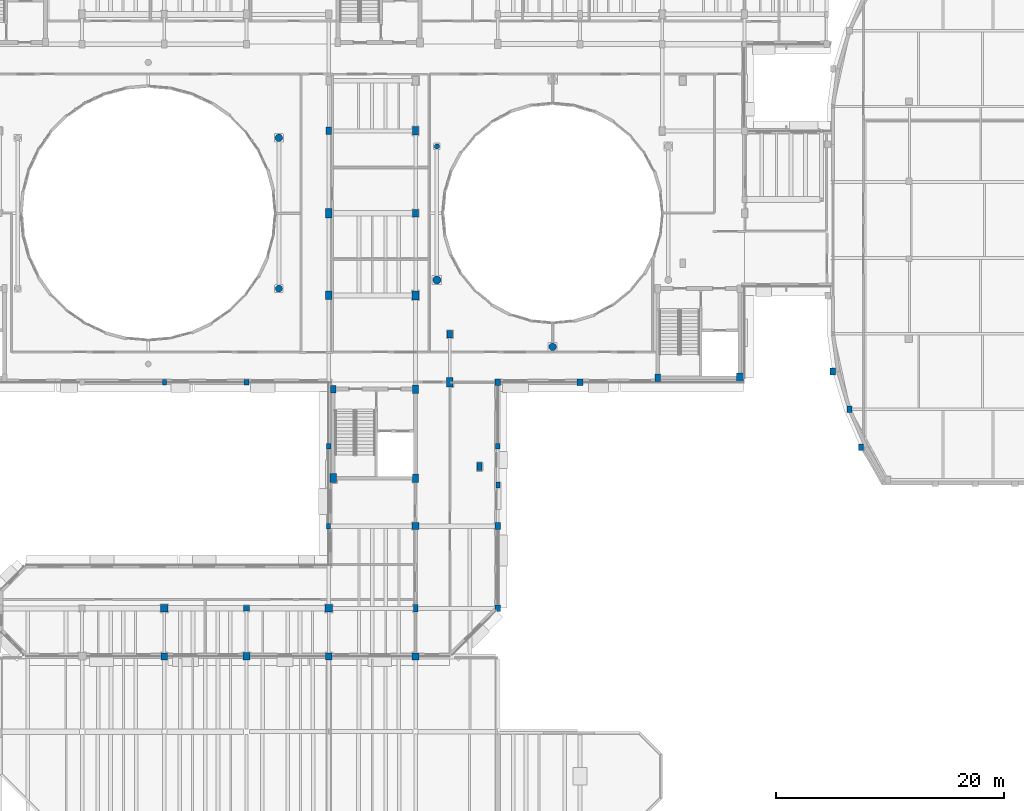
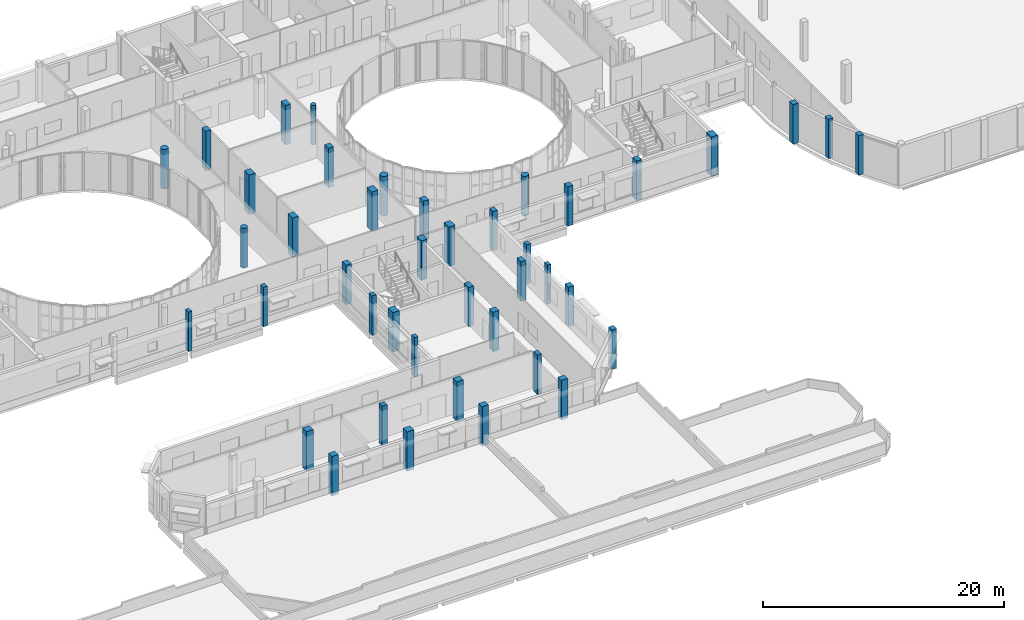
# One storey, part 7 of 105: 42 columns.
"""IFC4 building model written with IfcOpenShell, lengths in metres."""

from ifc_helpers import new_model, si_unit, direction, frame, origin, origin_2d, place, context, subcontext, project, spatial, rectangle, circle, extrude, material, material_profile, profile_set, type_object, element, save


model = new_model("IFC4")

# Units and contexts
model_context = context("Model", 3, precision=1e-05, world=origin(), true_north=direction((0.0, 1.0)))
body_context = subcontext(model_context, "Body", "Model", "MODEL_VIEW")
ifc_project = project(units=[si_unit("LENGTHUNIT", "METRE"), si_unit("AREAUNIT", "SQUARE_METRE"), si_unit("VOLUMEUNIT", "CUBIC_METRE"), si_unit("PLANEANGLEUNIT", "RADIAN"), si_unit("MASSUNIT", "GRAM", prefix="KILO")], contexts=[model_context])

# Site, building, storey
site_placement = place(None, origin())
site = spatial("IfcSite", under=ifc_project, at=site_placement, CompositionType="ELEMENT")
building_placement = place(site_placement, origin())
building = spatial("IfcBuilding", under=site, at=building_placement, Name="Kelanivale Promenade Academy", CompositionType="ELEMENT")
storey_placement = place(building_placement, frame((0.0, 0.0, 4.199951171875)))
storey = spatial("IfcBuildingStorey", under=building, at=storey_placement, Name="L01", CompositionType="ELEMENT", Elevation=4.199951171875)

# Columns
ifc_material = material(Name="Concrete C40/50", Category="concrete")
ifc_material_profile_1 = material_profile(ifc_material, rectangle(XDim=0.5, YDim=0.5, at=origin_2d()), Name="RC-COL 500x500")
ifc_profile_set_1 = profile_set([ifc_material_profile_1], Name="Concrete C40/50")
column_type_1 = type_object("IfcColumnType", Name="C-03 RC-COL 500x500", PredefinedType="COLUMN", material=ifc_profile_set_1)
column_1_placement = place(storey_placement, frame((72.0, 22.199951171875, 0.0), z_axis=(0.0, 0.0, 1.0), x_axis=(1.0, 0.0, 0.0)))
element("IfcColumn", 1, at=column_1_placement, inside=storey, type_object=column_type_1, Name="Column C-03 at (72.0, 22.2) L01", PredefinedType="COLUMN", context=body_context, shape_type="SweptSolid", body=[
    extrude(rectangle(XDim=0.5, YDim=0.5, at=origin_2d()), origin(), (0.0, 0.0, 1.0), 4.0),
])
ifc_material_profile_2 = material_profile(ifc_material, rectangle(XDim=0.60009765625, YDim=0.60009765625, at=origin_2d()), Name="RC-COL 600x600")
ifc_profile_set_2 = profile_set([ifc_material_profile_2], Name="Concrete C40/50")
column_type_2 = type_object("IfcColumnType", Name="C-05 RC-COL 600x600", PredefinedType="COLUMN", material=ifc_profile_set_2)
for number, where, z_axis, x_axis, name in (
    (2, (64.800048828125, 18.0, 0.0), (0.0, 0.0, 1.0), (1.0, 0.0, 0.0), "Column C-05 at (64.8, 18.0) L01"),
    (3, (79.199951171875, 18.0, 0.0), (0.0, 0.0, 1.0), (1.0, 0.0, 0.0), "Column C-05 at (79.2, 18.0) L01"),
    (4, (86.800048828125, 18.0, 0.0), (0.0, 0.0, 1.0), (1.0, 0.0, 0.0), "Column C-05 at (86.8, 18.0) L01"),
    (5, (86.800048828125, 29.39990234375, 0.0), (0.0, 0.0, 1.0), (1.0, 0.0, 0.0), "Column C-05 at (86.8, 29.4) L01"),
):
    element("IfcColumn", number, at=place(storey_placement, frame(where, z_axis=z_axis, x_axis=x_axis)), inside=storey, type_object=column_type_2, Name=name, PredefinedType="COLUMN", context=body_context, shape_type="SweptSolid", body=[
        extrude(rectangle(XDim=0.60009765625, YDim=0.60009765625, at=origin_2d()), origin(), (0.0, 0.0, 1.0), 4.0),
    ])
ifc_material_profile_3 = material_profile(ifc_material, rectangle(XDim=0.64990234375, YDim=0.64990234375, at=origin_2d()), Name="RC-COL 650x650")
ifc_profile_set_3 = profile_set([ifc_material_profile_3], Name="Concrete C40/50")
column_type_3 = type_object("IfcColumnType", Name="C-06 RC-COL 650x650", PredefinedType="COLUMN", material=ifc_profile_set_3)
for number, where, z_axis, x_axis, name in (
    (6, (64.800048828125, 22.199951171875, 0.0), (0.0, 0.0, 1.0), (1.0, 0.0, 0.0), "Column C-06 at (64.8, 22.2) L01"),
    (7, (72.0, 18.0, 0.0), (0.0, 0.0, 1.0), (1.0, 0.0, 0.0), "Column C-06 at (72.0, 18.0) L01"),
    (8, (79.199951171875, 22.199951171875, 0.0), (0.0, 0.0, 1.0), (1.0, 0.0, 0.0), "Column C-06 at (79.2, 22.2) L01"),
):
    element("IfcColumn", number, at=place(storey_placement, frame(where, z_axis=z_axis, x_axis=x_axis)), inside=storey, type_object=column_type_3, Name=name, PredefinedType="COLUMN", context=body_context, shape_type="SweptSolid", body=[
        extrude(rectangle(XDim=0.64990234375, YDim=0.64990234375, at=origin_2d()), origin(), (0.0, 0.0, 1.0), 4.0),
    ])
ifc_material_profile_4 = material_profile(ifc_material, rectangle(XDim=0.39990234375, YDim=0.64990234375, at=origin_2d()), Name="RC-COL 400x650")
ifc_profile_set_4 = profile_set([ifc_material_profile_4], Name="Concrete C40/50")
column_type_4 = type_object("IfcColumnType", Name="C-08 RC-COL 400x650", PredefinedType="COLUMN", material=ifc_profile_set_4)
column_2_placement = place(storey_placement, frame((86.800048828125, 22.199951171875, 0.0), z_axis=(0.0, 0.0, 1.0), x_axis=(1.0, 0.0, 0.0)))
element("IfcColumn", 9, at=column_2_placement, inside=storey, type_object=column_type_4, Name="Column C-08 at (86.8, 22.2) L01", PredefinedType="COLUMN", context=body_context, shape_type="SweptSolid", body=[
    extrude(rectangle(XDim=0.39990234375, YDim=0.64990234375, at=origin_2d()), origin(), (0.0, 0.0, 1.0), 4.0),
])
ifc_material_profile_5 = material_profile(ifc_material, rectangle(XDim=0.449951171875, YDim=0.699951171875, at=origin_2d()), Name="RC-COL 450x700")
ifc_profile_set_5 = profile_set([ifc_material_profile_5], Name="Concrete C40/50")
column_type_5 = type_object("IfcColumnType", Name="C-10 RC-COL 450x700", PredefinedType="COLUMN", material=ifc_profile_set_5)
column_3_placement = place(storey_placement, frame((92.39990234375, 34.60009765625, 0.0), z_axis=(0.0, 0.0, 1.0), x_axis=(1.0, 0.0, 0.0)))
element("IfcColumn", 10, at=column_3_placement, inside=storey, type_object=column_type_5, Name="Column C-10 at (92.4, 34.6) L01", PredefinedType="COLUMN", context=body_context, shape_type="SweptSolid", body=[
    extrude(rectangle(XDim=0.449951171875, YDim=0.699951171875, at=origin_2d()), origin(), (0.0, 0.0, 1.0), 4.0),
])
ifc_material_profile_6 = material_profile(ifc_material, rectangle(XDim=0.5, YDim=0.64990234375, at=origin_2d()), Name="RC-COL 500x650")
ifc_profile_set_6 = profile_set([ifc_material_profile_6], Name="Concrete C40/50")
column_type_6 = type_object("IfcColumnType", Name="C-11 RC-COL 500x650", PredefinedType="COLUMN", material=ifc_profile_set_6)
for number, where, z_axis, x_axis, name in (
    (11, (79.199951171875, 64.0, 0.0), (0.0, 0.0, 1.0), (1.0, 0.0, 0.0), "Column C-11 at (79.2, 64.0) L01"),
    (12, (79.60009765625, 41.39990234375, 0.0), (0.0, 0.0, 1.0), (1.0, 0.0, 0.0), "Column C-11 at (79.6, 41.4) L01"),
    (13, (86.800048828125, 56.800048828125, 0.0), (0.0, 0.0, 1.0), (1.0, 0.0, 0.0), "Column C-11 at (86.8, 56.8) L01"),
    (14, (89.800048828125, 46.199951171875, 0.0), (0.0, 0.0, 1.0), (1.0, 0.0, 0.0), "Column C-11 at (89.8, 46.2) L01"),
    (15, (108.0, 42.39990234375, 0.0), (0.0, 0.0, 1.0), (1.0, 0.0, 0.0), "Column C-11 at (108.0, 42.4) L01"),
):
    element("IfcColumn", number, at=place(storey_placement, frame(where, z_axis=z_axis, x_axis=x_axis)), inside=storey, type_object=column_type_6, Name=name, PredefinedType="COLUMN", context=body_context, shape_type="SweptSolid", body=[
        extrude(rectangle(XDim=0.5, YDim=0.64990234375, at=origin_2d()), origin(), (0.0, 0.0, 1.0), 4.0),
    ])
ifc_material_profile_7 = material_profile(ifc_material, rectangle(XDim=0.5, YDim=0.75, at=origin_2d()), Name="RC-COL 500x750")
ifc_profile_set_7 = profile_set([ifc_material_profile_7], Name="Concrete C40/50")
column_type_7 = type_object("IfcColumnType", Name="C-12 RC-COL 500x750", PredefinedType="COLUMN", material=ifc_profile_set_7)
for number, where, z_axis, x_axis, name in (
    (16, (86.800048828125, 33.60009765625, 0.0), (0.0, 0.0, 1.0), (1.0, 0.0, 0.0), "Column C-12 at (86.8, 33.6) L01"),
    (17, (86.800048828125, 64.0, 0.0), (0.0, 0.0, 1.0), (1.0, 0.0, 0.0), "Column C-12 at (86.8, 64.0) L01"),
):
    element("IfcColumn", number, at=place(storey_placement, frame(where, z_axis=z_axis, x_axis=x_axis)), inside=storey, type_object=column_type_7, Name=name, PredefinedType="COLUMN", context=body_context, shape_type="SweptSolid", body=[
        extrude(rectangle(XDim=0.5, YDim=0.75, at=origin_2d()), origin(), (0.0, 0.0, 1.0), 4.0),
    ])
ifc_material_profile_8 = material_profile(ifc_material, rectangle(XDim=0.550048828125, YDim=0.75, at=origin_2d()), Name="RC-COL 550x750")
ifc_profile_set_8 = profile_set([ifc_material_profile_8], Name="Concrete C40/50")
column_type_8 = type_object("IfcColumnType", Name="C-13 RC-COL 550x750", PredefinedType="COLUMN", material=ifc_profile_set_8)
for number, where, z_axis, x_axis, name in (
    (18, (79.199951171875, 49.60009765625, 0.0), (0.0, 0.0, 1.0), (1.0, 0.0, 0.0), "Column C-13 at (79.2, 49.6) L01"),
    (19, (86.800048828125, 41.39990234375, 0.0), (0.0, 0.0, 1.0), (1.0, 0.0, 0.0), "Column C-13 at (86.8, 41.4) L01"),
):
    element("IfcColumn", number, at=place(storey_placement, frame(where, z_axis=z_axis, x_axis=x_axis)), inside=storey, type_object=column_type_8, Name=name, PredefinedType="COLUMN", context=body_context, shape_type="SweptSolid", body=[
        extrude(rectangle(XDim=0.550048828125, YDim=0.75, at=origin_2d()), origin(), (0.0, 0.0, 1.0), 4.0),
    ])
ifc_material_profile_9 = material_profile(ifc_material, rectangle(XDim=0.60009765625, YDim=0.800048828125, at=origin_2d()), Name="RC-COL 600x800")
ifc_profile_set_9 = profile_set([ifc_material_profile_9], Name="Concrete C40/50")
column_type_9 = type_object("IfcColumnType", Name="C-14 RC-COL 600x800", PredefinedType="COLUMN", material=ifc_profile_set_9)
for number, where, z_axis, x_axis, name in (
    (20, (79.199951171875, 56.800048828125, 0.0), (0.0, 0.0, 1.0), (1.0, 0.0, 0.0), "Column C-14 at (79.2, 56.8) L01"),
    (21, (79.60009765625, 33.60009765625, 0.0), (0.0, 0.0, 1.0), (1.0, 0.0, 0.0), "Column C-14 at (79.6, 33.6) L01"),
    (22, (86.800048828125, 49.60009765625, 0.0), (0.0, 0.0, 1.0), (1.0, 0.0, 0.0), "Column C-14 at (86.8, 49.6) L01"),
    (23, (89.800048828125, 42.0, 0.0), (0.0, 0.0, 1.0), (1.0, 0.0, 0.0), "Column C-14 at (89.8, 42.0) L01"),
    (24, (115.199951171875, 42.39990234375, 0.0), (0.0, 0.0, 1.0), (1.0, 0.0, 0.0), "Column C-14 at (115.2, 42.4) L01"),
):
    element("IfcColumn", number, at=place(storey_placement, frame(where, z_axis=z_axis, x_axis=x_axis)), inside=storey, type_object=column_type_9, Name=name, PredefinedType="COLUMN", context=body_context, shape_type="SweptSolid", body=[
        extrude(rectangle(XDim=0.60009765625, YDim=0.800048828125, at=origin_2d()), origin(), (0.0, 0.0, 1.0), 4.0),
    ])
ifc_material_profile_10 = material_profile(ifc_material, circle(Radius=0.22509765625, at=origin_2d()), Name="RC-COL D450")
ifc_profile_set_10 = profile_set([ifc_material_profile_10], Name="Concrete C40/50")
column_type_10 = type_object("IfcColumnType", Name="CC-19 RC-COL D450", PredefinedType="COLUMN", material=ifc_profile_set_10)
column_4_placement = place(storey_placement, frame((88.66796875, 62.64990234375, 0.0), z_axis=(0.0, 0.0, 1.0), x_axis=(1.0, 0.0, 0.0)))
element("IfcColumn", 25, at=column_4_placement, inside=storey, type_object=column_type_10, Name="Column CC-19 at (88.7, 62.6) L01", PredefinedType="COLUMN", context=body_context, shape_type="SweptSolid", body=[
    extrude(circle(Radius=0.22509765625, at=origin_2d()), origin(), (0.0, 0.0, 1.0), 4.0),
])
ifc_material_profile_11 = material_profile(ifc_material, circle(Radius=0.300048828125, at=origin_2d()), Name="RC-COL D600")
ifc_profile_set_11 = profile_set([ifc_material_profile_11], Name="Concrete C40/50")
column_type_11 = type_object("IfcColumnType", Name="CC-22 RC-COL D600", PredefinedType="COLUMN", material=ifc_profile_set_11)
column_5_placement = place(storey_placement, frame((74.83203125, 50.199951171875, 0.0), z_axis=(0.0, 0.0, 1.0), x_axis=(1.0, 0.0, 0.0)))
element("IfcColumn", 26, at=column_5_placement, inside=storey, type_object=column_type_11, Name="Column CC-22 at (74.8, 50.2) L01", PredefinedType="COLUMN", context=body_context, shape_type="SweptSolid", body=[
    extrude(circle(Radius=0.300048828125, at=origin_2d()), origin(), (0.0, 0.0, 1.0), 4.0),
])
ifc_material_profile_12 = material_profile(ifc_material, circle(Radius=0.324951171875, at=origin_2d()), Name="RC-COL D650")
ifc_profile_set_12 = profile_set([ifc_material_profile_12], Name="Concrete C40/50")
column_type_12 = type_object("IfcColumnType", Name="CC-23 RC-COL D650", PredefinedType="COLUMN", material=ifc_profile_set_12)
for number, where, z_axis, x_axis, name in (
    (27, (74.83203125, 63.39990234375, 0.0), (0.0, 0.0, 1.0), (1.0, 0.0, 0.0), "Column CC-23 at (74.8, 63.4) L01"),
    (28, (98.800048828125, 45.10009765625, 0.0), (0.0, 0.0, 1.0), (1.0, 0.0, 0.0), "Column CC-23 at (98.8, 45.1) L01"),
):
    element("IfcColumn", number, at=place(storey_placement, frame(where, z_axis=z_axis, x_axis=x_axis)), inside=storey, type_object=column_type_12, Name=name, PredefinedType="COLUMN", context=body_context, shape_type="SweptSolid", body=[
        extrude(circle(Radius=0.324951171875, at=origin_2d()), origin(), (0.0, 0.0, 1.0), 4.0),
    ])
ifc_material_profile_13 = material_profile(ifc_material, circle(Radius=0.35009765625, at=origin_2d()), Name="RC-COL D700")
ifc_profile_set_13 = profile_set([ifc_material_profile_13], Name="Concrete C40/50")
column_type_13 = type_object("IfcColumnType", Name="CC-24 RC-COL D700", PredefinedType="COLUMN", material=ifc_profile_set_13)
column_6_placement = place(storey_placement, frame((88.66796875, 50.949951171875, 0.0), z_axis=(0.0, 0.0, 1.0), x_axis=(1.0, 0.0, 0.0)))
element("IfcColumn", 29, at=column_6_placement, inside=storey, type_object=column_type_13, Name="Column CC-24 at (88.7, 51.0) L01", PredefinedType="COLUMN", context=body_context, shape_type="SweptSolid", body=[
    extrude(circle(Radius=0.35009765625, at=origin_2d()), origin(), (0.0, 0.0, 1.0), 4.0),
])
ifc_material_profile_14 = material_profile(ifc_material, rectangle(XDim=0.35009765625, YDim=0.5, at=origin_2d()), Name="RC-PIL 350x500")
ifc_profile_set_14 = profile_set([ifc_material_profile_14], Name="Concrete C40/50")
column_type_14 = type_object("IfcColumnType", Name="PL-15 RC-PIL 350x500", PredefinedType="PILASTER", material=ifc_profile_set_14)
for number, where, z_axis, x_axis, name in (
    (30, (64.800048828125, 42.0, 0.0), (0.0, 0.0, 1.0), (1.0, 0.0, 0.0), "Column PL-15 at (64.8, 42.0) L01"),
    (31, (79.199951171875, 29.39990234375, 0.0), (0.0, 0.0, 1.0), (1.0, 0.0, 0.0), "Column PL-15 at (79.2, 29.4) L01"),
    (32, (94.0, 33.0, 0.0), (0.0, 0.0, 1.0), (1.0, 0.0, 0.0), "Column PL-15 at (94.0, 33.0) L01"),
):
    element("IfcColumn", number, at=place(storey_placement, frame(where, z_axis=z_axis, x_axis=x_axis)), inside=storey, type_object=column_type_14, Name=name, PredefinedType="PILASTER", context=body_context, shape_type="SweptSolid", body=[
        extrude(rectangle(XDim=0.35009765625, YDim=0.5, at=origin_2d()), origin(), (0.0, 0.0, 1.0), 4.0),
    ])
ifc_material_profile_15 = material_profile(ifc_material, rectangle(XDim=0.39990234375, YDim=0.5, at=origin_2d()), Name="RC-PIL 400x500")
ifc_profile_set_15 = profile_set([ifc_material_profile_15], Name="Concrete C40/50")
column_type_15 = type_object("IfcColumnType", Name="PL-16 RC-PIL 400x500", PredefinedType="PILASTER", material=ifc_profile_set_15)
for number, where, z_axis, x_axis, name in (
    (33, (72.0, 42.0, 0.0), (0.0, 0.0, 1.0), (1.0, 0.0, 0.0), "Column PL-16 at (72.0, 42.0) L01"),
    (34, (79.199951171875, 36.39990234375, 0.0), (0.0, 0.0, 1.0), (1.0, 0.0, 0.0), "Column PL-16 at (79.2, 36.4) L01"),
    (35, (94.0, 36.39990234375, 0.0), (0.0, 0.0, 1.0), (1.0, 0.0, 0.0), "Column PL-16 at (94.0, 36.4) L01"),
):
    element("IfcColumn", number, at=place(storey_placement, frame(where, z_axis=z_axis, x_axis=x_axis)), inside=storey, type_object=column_type_15, Name=name, PredefinedType="PILASTER", context=body_context, shape_type="SweptSolid", body=[
        extrude(rectangle(XDim=0.39990234375, YDim=0.5, at=origin_2d()), origin(), (0.0, 0.0, 1.0), 4.0),
    ])
ifc_material_profile_16 = material_profile(ifc_material, rectangle(XDim=0.449951171875, YDim=0.550048828125, at=origin_2d()), Name="RC-PIL 450x550")
ifc_profile_set_16 = profile_set([ifc_material_profile_16], Name="Concrete C40/50")
column_type_16 = type_object("IfcColumnType", Name="PL-17 RC-PIL 450x550", PredefinedType="PILASTER", material=ifc_profile_set_16)
for number, where, z_axis, x_axis, name in (
    (36, (94.0, 22.199951171875, 0.0), (0.0, 0.0, 1.0), (1.0, 0.0, 0.0), "Column PL-17 at (94.0, 22.2) L01"),
    (37, (94.0, 42.0, 0.0), (0.0, 0.0, 1.0), (1.0, 0.0, 0.0), "Column PL-17 at (94.0, 42.0) L01"),
    (38, (124.800048828125, 39.62890625, 0.0), (0.0, 0.0, 1.0), (1.0, 0.0, 0.0), "Column PL-17 at (124.8, 39.6) L01"),
    (39, (125.7900390625, 36.31396484375, 0.0), (0.0, 0.0, 1.0), (1.0, 0.0, 0.0), "Column PL-17 at (125.8, 36.3) L01"),
):
    element("IfcColumn", number, at=place(storey_placement, frame(where, z_axis=z_axis, x_axis=x_axis)), inside=storey, type_object=column_type_16, Name=name, PredefinedType="PILASTER", context=body_context, shape_type="SweptSolid", body=[
        extrude(rectangle(XDim=0.449951171875, YDim=0.550048828125, at=origin_2d()), origin(), (0.0, 0.0, 1.0), 4.0),
    ])
ifc_material_profile_17 = material_profile(ifc_material, rectangle(XDim=0.5, YDim=0.60009765625, at=origin_2d()), Name="RC-PIL 500x600")
ifc_profile_set_17 = profile_set([ifc_material_profile_17], Name="Concrete C40/50")
column_type_17 = type_object("IfcColumnType", Name="PL-18 RC-PIL 500x600", PredefinedType="PILASTER", material=ifc_profile_set_17)
for number, where, z_axis, x_axis, name in (
    (40, (94.0, 29.39990234375, 0.0), (0.0, 0.0, 1.0), (1.0, 0.0, 0.0), "Column PL-18 at (94.0, 29.4) L01"),
    (41, (101.199951171875, 42.0, 0.0), (0.0, 0.0, 1.0), (1.0, 0.0, 0.0), "Column PL-18 at (101.2, 42.0) L01"),
    (42, (123.340087890625, 42.943115234375, 0.0), (0.0, 0.0, 1.0), (1.0, 0.0, 0.0), "Column PL-18 at (123.3, 42.9) L01"),
):
    element("IfcColumn", number, at=place(storey_placement, frame(where, z_axis=z_axis, x_axis=x_axis)), inside=storey, type_object=column_type_17, Name=name, PredefinedType="PILASTER", context=body_context, shape_type="SweptSolid", body=[
        extrude(rectangle(XDim=0.5, YDim=0.60009765625, at=origin_2d()), origin(), (0.0, 0.0, 1.0), 4.0),
    ])

save(model, "model.ifc")
